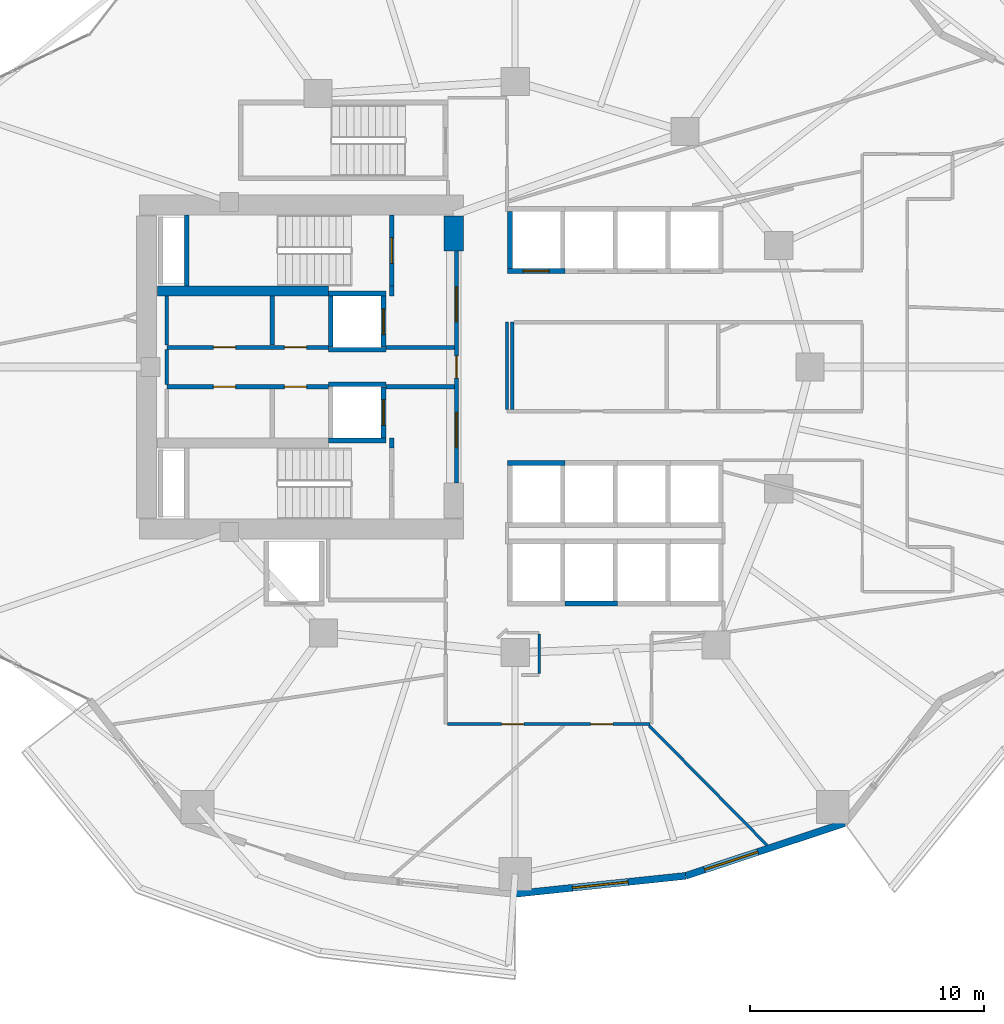
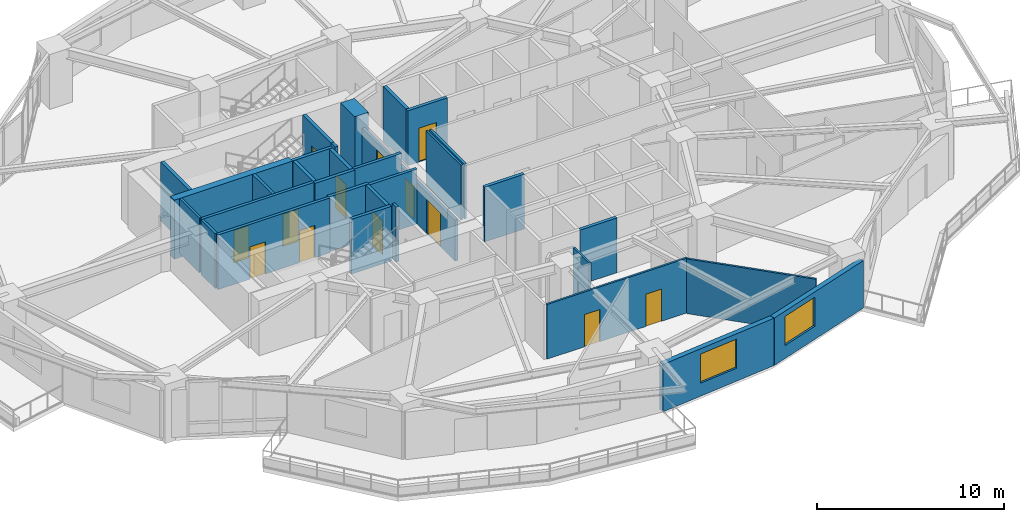
# One storey, part 7 of 14: 32 walls, 13 doors, 2 windows, 15 openings.
"""IFC4 building model written with IfcOpenShell, lengths in metres."""

from ifc_helpers import new_model, si_unit, direction, frame, frame_2d, origin, place, context, subcontext, project, spatial, rectangle, extrude, material, layer, layer_set, type_object, element, fill, save


model = new_model("IFC4")

# Units and contexts
model_context = context("Model", 3, precision=1e-05, world=origin(), true_north=direction((0.0, 1.0)))
body_context = subcontext(model_context, "Body", "Model", "MODEL_VIEW")
ifc_project = project(units=[si_unit("LENGTHUNIT", "METRE"), si_unit("AREAUNIT", "SQUARE_METRE"), si_unit("VOLUMEUNIT", "CUBIC_METRE"), si_unit("PLANEANGLEUNIT", "RADIAN"), si_unit("MASSUNIT", "GRAM", prefix="KILO")], contexts=[model_context])

# Site, building, storey
site_placement = place(None, origin())
site = spatial("IfcSite", under=ifc_project, at=site_placement, CompositionType="ELEMENT")
building_placement = place(site_placement, origin())
building = spatial("IfcBuilding", under=site, at=building_placement, Name="Kolvaren Gate Tower and Convention Centre", CompositionType="ELEMENT")
storey_placement = place(building_placement, frame((0.0, 0.0, 45.75)))
storey = spatial("IfcBuildingStorey", under=building, at=storey_placement, Name="L10", CompositionType="ELEMENT", Elevation=45.75)

# Walls
ifc_material_1 = material(Name="Autoclaved Aerated Masonry Blockwork Class 4 (4.0 MPa)", Category="masonry")
ifc_layer_1 = layer(ifc_material_1, 0.179931640625)
ifc_layer_set_1 = layer_set([ifc_layer_1], Name="Autoclaved Aerated Masonry Blockwork Class 4 (4.0 MPa)")
wall_type_1 = type_object("IfcWallType", Name="ARCH-WL-COMP-180", PredefinedType="SOLIDWALL", material=ifc_layer_set_1)
for number, where, z_axis, x_axis, name in (
    (1, (24.85009765625, 23.5400390625, 0.0), (0.0, 0.0, 1.0), (0.0, 1.0, 0.0), "Interior Partition WL-L10-INT-001"),
    (2, (24.85009765625, 30.0400390625, 0.0), (0.0, 0.0, 1.0), (0.0, 1.0, 0.0), "Interior Partition WL-L10-INT-002"),
):
    element("IfcWall", number, at=place(storey_placement, frame(where, z_axis=z_axis, x_axis=x_axis)), inside=storey, type_object=wall_type_1, Name=name, PredefinedType="SOLIDWALL", context=body_context, shape_type="SweptSolid", body=[
        extrude(rectangle(XDim=0.419921875, YDim=0.179931640625, at=frame_2d((0.2099609375, 0.0))), origin(), (0.0, 0.0, 1.0), 3.570068359375),
    ])

# Wall, openings, doors
wall_1_placement = place(storey_placement, frame((27.6201171875, 22.050048828125, 0.0), z_axis=(0.0, 0.0, 1.0), x_axis=(0.0, 1.0, 0.0)))
wall_1 = element("IfcWall", 3, at=wall_1_placement, inside=storey, type_object=wall_type_1, Name="Interior Partition WL-L10-INT-003", PredefinedType="SOLIDWALL", context=body_context, shape_type="SweptSolid", body=[
    extrude(rectangle(XDim=9.89990234375, YDim=0.179931640625, at=frame_2d((4.949951171875, 0.0))), origin(), (0.0, 0.0, 1.0), 2.662109375),
])
opening_1_placement = place(wall_1_placement, frame((4.47509765625, 0.0, 0.0)))
opening_1 = element("IfcOpeningElement", 4, at=opening_1_placement, cuts=wall_1, Name="Opening DR-01", PredefinedType="OPENING", context=body_context, shape_type="SweptSolid", body=[
    extrude(rectangle(XDim=0.949951171875, YDim=2.10009765625, at=frame_2d((0.47509765625, 1.050048828125))), frame((0.0, 0.099853515625, 0.0), z_axis=(0.0, -1.0, 0.0), x_axis=(1.0, 0.0, 0.0)), (0.0, 0.0, 1.0), 0.199951171875),
])
opening_2_placement = place(wall_1_placement, frame((6.889892578125, 0.0, 0.0)))
opening_2 = element("IfcOpeningElement", 5, at=opening_2_placement, cuts=wall_1, Name="Opening DL-01", PredefinedType="OPENING", context=body_context, shape_type="SweptSolid", body=[
    extrude(rectangle(XDim=1.5, YDim=2.199951171875, at=frame_2d((0.75, 1.10009765625))), frame((0.0, 0.099853515625, 0.0), z_axis=(0.0, -1.0, 0.0), x_axis=(1.0, 0.0, 0.0)), (0.0, 0.0, 1.0), 0.199951171875),
])
opening_3_placement = place(wall_1_placement, frame((1.510009765625, 0.0, 0.0)))
opening_3 = element("IfcOpeningElement", 6, at=opening_3_placement, cuts=wall_1, Name="Opening DL-01", PredefinedType="OPENING", context=body_context, shape_type="SweptSolid", body=[
    extrude(rectangle(XDim=1.5, YDim=2.199951171875, at=frame_2d((0.75, 1.10009765625))), frame((0.0, 0.099853515625, 0.0), z_axis=(0.0, -1.0, 0.0), x_axis=(1.0, 0.0, 0.0)), (0.0, 0.0, 1.0), 0.199951171875),
])
ifc_material_2 = material(Name="Painted Architectural Steelwork ASTM A500 Grade C 345 MPa", Category="steel")
door_type_1 = type_object("IfcDoorType", Name="ARCH-DR-LOBBY-1500", OperationType="DOUBLE_DOOR_SINGLE_SWING", PredefinedType="DOOR", material=ifc_material_2)
door_1_placement = place(opening_2_placement, origin())
door_1 = element("IfcDoor", 7, at=door_1_placement, inside=storey, type_object=door_type_1, Name="North Firefighting Stair and Lift Lobby Door", OperationType="DOUBLE_DOOR_SINGLE_SWING", OverallHeight=2.199951171875, OverallWidth=1.5, PredefinedType="DOOR", context=body_context, shape_type="SweptSolid", body=[
    extrude(rectangle(XDim=1.5, YDim=2.199951171875, at=frame_2d((0.75, 1.10009765625))), frame((0.0, 0.02490234375, 0.0), z_axis=(0.0, -1.0, 0.0), x_axis=(1.0, 0.0, 0.0)), (0.0, 0.0, 1.0), 0.050048828125),
])
fill(opening_2, door_1)
door_2_placement = place(opening_3_placement, origin())
door_2 = element("IfcDoor", 8, at=door_2_placement, inside=storey, type_object=door_type_1, Name="South Firefighting Stair and Lift Lobby Door", OperationType="DOUBLE_DOOR_SINGLE_SWING", OverallHeight=2.199951171875, OverallWidth=1.5, PredefinedType="DOOR", context=body_context, shape_type="SweptSolid", body=[
    extrude(rectangle(XDim=1.5, YDim=2.199951171875, at=frame_2d((0.75, 1.10009765625))), frame((0.0, 0.02490234375, 0.0), z_axis=(0.0, -1.0, 0.0), x_axis=(1.0, 0.0, 0.0)), (0.0, 0.0, 1.0), 0.050048828125),
])
fill(opening_3, door_2)
door_type_2 = type_object("IfcDoorType", Name="ARCH-DR-RISER-950", OperationType="SINGLE_SWING_RIGHT", PredefinedType="DOOR", material=ifc_material_2)
door_3_placement = place(opening_1_placement, origin())
door_3 = element("IfcDoor", 9, at=door_3_placement, inside=storey, type_object=door_type_2, Name="Central MEP Service Corridor Door", OperationType="SINGLE_SWING_RIGHT", OverallHeight=2.10009765625, OverallWidth=0.949951171875, PredefinedType="DOOR", context=body_context, shape_type="SweptSolid", body=[
    extrude(rectangle(XDim=0.949951171875, YDim=2.10009765625, at=frame_2d((0.47509765625, 1.050048828125))), frame((0.0, 0.02490234375, 0.0), z_axis=(0.0, -1.0, 0.0), x_axis=(1.0, 0.0, 0.0)), (0.0, 0.0, 1.0), 0.050048828125),
])
fill(opening_1, door_3)

wall_2_placement = place(storey_placement, frame((15.25, 27.840087890625, 0.0), z_axis=(0.0, 0.0, 1.0), x_axis=(1.0, 0.0, 0.0)))
wall_2 = element("IfcWall", 10, at=wall_2_placement, inside=storey, type_object=wall_type_1, Name="Interior Partition WL-L10-INT-004", PredefinedType="SOLIDWALL", context=body_context, shape_type="SweptSolid", body=[
    extrude(rectangle(XDim=6.89990234375, YDim=0.179931640625, at=frame_2d((3.449951171875, 0.0))), origin(), (0.0, 0.0, 1.0), 3.570068359375),
])
opening_4_placement = place(wall_2_placement, frame((5.02001953125, 0.0, 0.0)))
opening_4 = element("IfcOpeningElement", 11, at=opening_4_placement, cuts=wall_2, Name="Opening DR-01", PredefinedType="OPENING", context=body_context, shape_type="SweptSolid", body=[
    extrude(rectangle(XDim=0.949951171875, YDim=2.10009765625, at=frame_2d((0.47509765625, 1.050048828125))), frame((0.0, 0.099853515625, 0.0), z_axis=(0.0, -1.0, 0.0), x_axis=(1.0, 0.0, 0.0)), (0.0, 0.0, 1.0), 0.199951171875),
])
opening_5_placement = place(wall_2_placement, frame((1.97998046875, 0.0, 0.0)))
opening_5 = element("IfcOpeningElement", 12, at=opening_5_placement, cuts=wall_2, Name="Opening DR-01", PredefinedType="OPENING", context=body_context, shape_type="SweptSolid", body=[
    extrude(rectangle(XDim=0.949951171875, YDim=2.10009765625, at=frame_2d((0.47509765625, 1.050048828125))), frame((0.0, 0.099853515625, 0.0), z_axis=(0.0, -1.0, 0.0), x_axis=(1.0, 0.0, 0.0)), (0.0, 0.0, 1.0), 0.199951171875),
])
door_4_placement = place(opening_4_placement, origin())
door_4 = element("IfcDoor", 13, at=door_4_placement, inside=storey, type_object=door_type_2, Name="Electrical Switchgear Closet Door", OperationType="SINGLE_SWING_LEFT", OverallHeight=2.10009765625, OverallWidth=0.949951171875, PredefinedType="DOOR", context=body_context, shape_type="SweptSolid", body=[
    extrude(rectangle(XDim=0.949951171875, YDim=2.10009765625, at=frame_2d((0.47509765625, 1.050048828125))), frame((0.0, 0.02490234375, 0.0), z_axis=(0.0, -1.0, 0.0), x_axis=(1.0, 0.0, 0.0)), (0.0, 0.0, 1.0), 0.050048828125),
])
fill(opening_4, door_4)
door_5_placement = place(opening_5_placement, origin())
door_5 = element("IfcDoor", 14, at=door_5_placement, inside=storey, type_object=door_type_2, Name="Staff Powder Washroom Door", OperationType="SINGLE_SWING_LEFT", OverallHeight=2.10009765625, OverallWidth=0.949951171875, PredefinedType="DOOR", context=body_context, shape_type="SweptSolid", body=[
    extrude(rectangle(XDim=0.949951171875, YDim=2.10009765625, at=frame_2d((0.47509765625, 1.050048828125))), frame((0.0, 0.02490234375, 0.0), z_axis=(0.0, -1.0, 0.0), x_axis=(1.0, 0.0, 0.0)), (0.0, 0.0, 1.0), 0.050048828125),
])
fill(opening_5, door_5)

# Wall
wall_3_placement = place(storey_placement, frame((24.60009765625, 27.840087890625, 0.0), z_axis=(0.0, 0.0, 1.0), x_axis=(1.0, 0.0, 0.0)))
element("IfcWall", 15, at=wall_3_placement, inside=storey, type_object=wall_type_1, Name="Interior Partition WL-L10-INT-004 (2)", PredefinedType="SOLIDWALL", context=body_context, shape_type="SweptSolid", body=[
    extrude(rectangle(XDim=2.927978515625, YDim=0.179931640625, at=frame_2d((1.4638671875, 0.0))), origin(), (0.0, 0.0, 1.0), 3.570068359375),
])

# Wall, openings, doors
wall_4_placement = place(storey_placement, frame((15.25, 26.159912109375, 0.0), z_axis=(0.0, 0.0, 1.0), x_axis=(1.0, 0.0, 0.0)))
wall_4 = element("IfcWall", 16, at=wall_4_placement, inside=storey, type_object=wall_type_1, Name="Interior Partition WL-L10-INT-005", PredefinedType="SOLIDWALL", context=body_context, shape_type="SweptSolid", body=[
    extrude(rectangle(XDim=6.89990234375, YDim=0.179931640625, at=frame_2d((3.449951171875, 0.0))), origin(), (0.0, 0.0, 1.0), 3.570068359375),
])
opening_6_placement = place(wall_4_placement, frame((5.02001953125, 0.0, 0.0)))
opening_6 = element("IfcOpeningElement", 17, at=opening_6_placement, cuts=wall_4, Name="Opening DR-01", PredefinedType="OPENING", context=body_context, shape_type="SweptSolid", body=[
    extrude(rectangle(XDim=0.949951171875, YDim=2.10009765625, at=frame_2d((0.47509765625, 1.050048828125))), frame((0.0, 0.099853515625, 0.0), z_axis=(0.0, -1.0, 0.0), x_axis=(1.0, 0.0, 0.0)), (0.0, 0.0, 1.0), 0.199951171875),
])
opening_7_placement = place(wall_4_placement, frame((1.97998046875, 0.0, 0.0)))
opening_7 = element("IfcOpeningElement", 18, at=opening_7_placement, cuts=wall_4, Name="Opening DR-01", PredefinedType="OPENING", context=body_context, shape_type="SweptSolid", body=[
    extrude(rectangle(XDim=0.949951171875, YDim=2.10009765625, at=frame_2d((0.47509765625, 1.050048828125))), frame((0.0, 0.099853515625, 0.0), z_axis=(0.0, -1.0, 0.0), x_axis=(1.0, 0.0, 0.0)), (0.0, 0.0, 1.0), 0.199951171875),
])
door_6_placement = place(opening_6_placement, origin())
door_6 = element("IfcDoor", 19, at=door_6_placement, inside=storey, type_object=door_type_2, Name="Domestic Water Meter Closet Door", OperationType="SINGLE_SWING_RIGHT", OverallHeight=2.10009765625, OverallWidth=0.949951171875, PredefinedType="DOOR", context=body_context, shape_type="SweptSolid", body=[
    extrude(rectangle(XDim=0.949951171875, YDim=2.10009765625, at=frame_2d((0.47509765625, 1.050048828125))), frame((0.0, 0.02490234375, 0.0), z_axis=(0.0, -1.0, 0.0), x_axis=(1.0, 0.0, 0.0)), (0.0, 0.0, 1.0), 0.050048828125),
])
fill(opening_6, door_6)
door_7_placement = place(opening_7_placement, origin())
door_7 = element("IfcDoor", 20, at=door_7_placement, inside=storey, type_object=door_type_2, Name="Janitor Equipment Store Door", OperationType="SINGLE_SWING_RIGHT", OverallHeight=2.10009765625, OverallWidth=0.949951171875, PredefinedType="DOOR", context=body_context, shape_type="SweptSolid", body=[
    extrude(rectangle(XDim=0.949951171875, YDim=2.10009765625, at=frame_2d((0.47509765625, 1.050048828125))), frame((0.0, 0.02490234375, 0.0), z_axis=(0.0, -1.0, 0.0), x_axis=(1.0, 0.0, 0.0)), (0.0, 0.0, 1.0), 0.050048828125),
])
fill(opening_7, door_7)

# Walls
wall_5_placement = place(storey_placement, frame((24.60009765625, 26.159912109375, 0.0), z_axis=(0.0, 0.0, 1.0), x_axis=(1.0, 0.0, 0.0)))
element("IfcWall", 21, at=wall_5_placement, inside=storey, type_object=wall_type_1, Name="Interior Partition WL-L10-INT-005 (2)", PredefinedType="SOLIDWALL", context=body_context, shape_type="SweptSolid", body=[
    extrude(rectangle(XDim=2.927978515625, YDim=0.179931640625, at=frame_2d((1.4638671875, 0.0))), origin(), (0.0, 0.0, 1.0), 3.570068359375),
])
wall_6_placement = place(storey_placement, frame((19.75, 27.931884765625, 0.0), z_axis=(0.0, 0.0, 1.0), x_axis=(0.0, 1.0, 0.0)))
element("IfcWall", 22, at=wall_6_placement, inside=storey, type_object=wall_type_1, Name="Interior Partition WL-L10-INT-008", PredefinedType="SOLIDWALL", context=body_context, shape_type="SweptSolid", body=[
    extrude(rectangle(XDim=2.106201171875, YDim=0.179931640625, at=frame_2d((1.05322265625, 0.0))), origin(), (0.0, 0.0, 1.0), 3.570068359375),
])

# Wall, openings, doors
ifc_material_3 = material(Name="Fire-Rated Acoustic Gypsum Stud Partition", Category="gypsum")
ifc_layer_2 = layer(ifc_material_3, 0.1201171875)
ifc_layer_set_2 = layer_set([ifc_layer_2], Name="Fire-Rated Acoustic Gypsum Stud Partition")
wall_type_2 = type_object("IfcWallType", Name="ARCH-WL-PART-120", PredefinedType="PARTITIONING", material=ifc_layer_set_2)
wall_7_placement = place(storey_placement, frame((27.22705078125, 11.75, 0.0), z_axis=(0.0, 0.0, 1.0), x_axis=(1.0, 0.0, 0.0)))
wall_7 = element("IfcWall", 23, at=wall_7_placement, inside=storey, type_object=wall_type_2, Name="Interior Partition WL-L10-INT-020", PredefinedType="PARTITIONING", context=body_context, shape_type="SweptSolid", body=[
    extrude(rectangle(XDim=8.660888671875, YDim=0.1201171875, at=frame_2d((4.33056640625, 0.0))), origin(), (0.0, 0.0, 1.0), 3.570068359375),
])
opening_8_placement = place(wall_7_placement, frame((2.318115234375, 0.0, 0.0)))
opening_8 = element("IfcOpeningElement", 24, at=opening_8_placement, cuts=wall_7, Name="Opening DR-01", PredefinedType="OPENING", context=body_context, shape_type="SweptSolid", body=[
    extrude(rectangle(XDim=0.949951171875, YDim=2.10009765625, at=frame_2d((0.47509765625, 1.050048828125))), frame((0.0, 0.070068359375, 0.0), z_axis=(0.0, -1.0, 0.0), x_axis=(1.0, 0.0, 0.0)), (0.0, 0.0, 1.0), 0.14013671875),
])
opening_9_placement = place(wall_7_placement, frame((6.1142578125, 0.0, 0.0)))
opening_9 = element("IfcOpeningElement", 25, at=opening_9_placement, cuts=wall_7, Name="Opening DR-01", PredefinedType="OPENING", context=body_context, shape_type="SweptSolid", body=[
    extrude(rectangle(XDim=0.949951171875, YDim=2.10009765625, at=frame_2d((0.47509765625, 1.050048828125))), frame((0.0, 0.070068359375, 0.0), z_axis=(0.0, -1.0, 0.0), x_axis=(1.0, 0.0, 0.0)), (0.0, 0.0, 1.0), 0.14013671875),
])
door_8_placement = place(opening_8_placement, origin())
door_8 = element("IfcDoor", 26, at=door_8_placement, inside=storey, type_object=door_type_2, Name="Staff Bistro Cafe Door", OperationType="SINGLE_SWING_LEFT", OverallHeight=2.10009765625, OverallWidth=0.949951171875, PredefinedType="DOOR", context=body_context, shape_type="SweptSolid", body=[
    extrude(rectangle(XDim=0.949951171875, YDim=2.10009765625, at=frame_2d((0.47509765625, 1.050048828125))), frame((0.0, 0.02490234375, 0.0), z_axis=(0.0, -1.0, 0.0), x_axis=(1.0, 0.0, 0.0)), (0.0, 0.0, 1.0), 0.050048828125),
])
fill(opening_8, door_8)
door_9_placement = place(opening_9_placement, origin())
door_9 = element("IfcDoor", 27, at=door_9_placement, inside=storey, type_object=door_type_2, Name="Technical Reference Library Door", OperationType="SINGLE_SWING_RIGHT", OverallHeight=2.10009765625, OverallWidth=0.949951171875, PredefinedType="DOOR", context=body_context, shape_type="SweptSolid", body=[
    extrude(rectangle(XDim=0.949951171875, YDim=2.10009765625, at=frame_2d((0.47509765625, 1.050048828125))), frame((0.0, 0.02490234375, 0.0), z_axis=(0.0, -1.0, 0.0), x_axis=(1.0, 0.0, 0.0)), (0.0, 0.0, 1.0), 0.050048828125),
])
fill(opening_9, door_9)

# Walls
wall_8_placement = place(storey_placement, frame((29.780029296875, 25.197021484375, 0.0), z_axis=(0.0, 0.0, 1.0), x_axis=(0.0, 1.0, 0.0)))
element("IfcWall", 28, at=wall_8_placement, inside=storey, type_object=wall_type_2, Name="Interior Partition WL-L10-INT-024", PredefinedType="PARTITIONING", context=body_context, shape_type="SweptSolid", body=[
    extrude(rectangle(XDim=3.722900390625, YDim=0.1201171875, at=frame_2d((1.861328125, 0.0))), origin(), (0.0, 0.0, 1.0), 3.570068359375),
])
wall_9_placement = place(storey_placement, frame((31.14990234375, 13.912109375, 0.0), z_axis=(0.0, 0.0, 1.0), x_axis=(0.0, 1.0, 0.0)))
element("IfcWall", 29, at=wall_9_placement, inside=storey, type_object=wall_type_2, Name="Interior Partition WL-L10-INT-041", PredefinedType="PARTITIONING", context=body_context, shape_type="SweptSolid", body=[
    extrude(rectangle(XDim=1.67578125, YDim=0.1201171875, at=frame_2d((0.837890625, 0.0))), origin(), (0.0, 0.0, 1.0), 3.570068359375),
])
wall_10_placement = place(storey_placement, frame((35.841064453125, 11.68798828125, 0.0), z_axis=(0.0, 0.0, 1.0), x_axis=(0.702122050881, -0.712056616897, 0.0)))
element("IfcWall", 30, at=wall_10_placement, inside=storey, type_object=wall_type_2, Name="Interior Partition WL-L10-INT-051", PredefinedType="PARTITIONING", context=body_context, shape_type="SweptSolid", body=[
    extrude(rectangle(XDim=7.17578125, YDim=0.1201171875, at=frame_2d((3.587890625, 0.0))), origin(), (0.0, 0.0, 1.0), 3.570068359375),
])
ifc_layer_3 = layer(ifc_material_1, 0.199951171875)
ifc_layer_set_3 = layer_set([ifc_layer_3], Name="Autoclaved Aerated Masonry Blockwork Class 4 (4.0 MPa)")
wall_type_3 = type_object("IfcWallType", Name="ARCH-WL-SHAFT-200", PredefinedType="SOLIDWALL", material=ifc_layer_set_3)
for number, where, z_axis, x_axis, name in (
    (31, (22.14990234375, 30.139892578125, 0.0), (0.0, 0.0, 1.0), (1.0, 0.0, 0.0), "Elevator FF-01 L10 Fire Shaft Wall N"),
    (32, (22.14990234375, 27.739990234375, 0.0), (0.0, 0.0, 1.0), (1.0, 0.0, 0.0), "Elevator FF-01 L10 Fire Shaft Wall S"),
):
    element("IfcWall", number, at=place(storey_placement, frame(where, z_axis=z_axis, x_axis=x_axis)), inside=storey, type_object=wall_type_3, Name=name, PredefinedType="SOLIDWALL", context=body_context, shape_type="SweptSolid", body=[
        extrude(rectangle(XDim=2.4501953125, YDim=0.199951171875, at=frame_2d((1.22509765625, 0.0))), origin(), (0.0, 0.0, 1.0), 3.570068359375),
    ])
wall_11_placement = place(storey_placement, frame((22.25, 27.85009765625, 0.0), z_axis=(0.0, 0.0, 1.0), x_axis=(0.0, 1.0, 0.0)))
element("IfcWall", 33, at=wall_11_placement, inside=storey, type_object=wall_type_3, Name="Elevator FF-01 L10 Fire Shaft Wall W", PredefinedType="SOLIDWALL", context=body_context, shape_type="SweptSolid", body=[
    extrude(rectangle(XDim=2.179931640625, YDim=0.199951171875, at=frame_2d((1.08984375, 0.0))), origin(), (0.0, 0.0, 1.0), 3.570068359375),
])

# Wall, opening, door
wall_12_placement = place(storey_placement, frame((24.5, 27.85009765625, 0.0), z_axis=(0.0, 0.0, 1.0), x_axis=(0.0, 1.0, 0.0)))
wall_12 = element("IfcWall", 34, at=wall_12_placement, inside=storey, type_object=wall_type_3, Name="Elevator FF-01 L10 Fire Shaft Wall E", PredefinedType="SOLIDWALL", context=body_context, shape_type="SweptSolid", body=[
    extrude(rectangle(XDim=2.179931640625, YDim=0.199951171875, at=frame_2d((1.08984375, 0.0))), origin(), (0.0, 0.0, 1.0), 3.570068359375),
])
opening_10_placement = place(wall_12_placement, frame((0.5400390625, 0.0, 0.0)))
opening_10 = element("IfcOpeningElement", 35, at=opening_10_placement, cuts=wall_12, Name="Opening LD", PredefinedType="OPENING", context=body_context, shape_type="SweptSolid", body=[
    extrude(rectangle(XDim=1.10009765625, YDim=2.199951171875, at=frame_2d((0.550048828125, 1.10009765625))), frame((0.0, 0.10986328125, 0.0), z_axis=(0.0, -1.0, 0.0), x_axis=(1.0, 0.0, 0.0)), (0.0, 0.0, 1.0), 0.219970703125),
])
ifc_material_4 = material(Name="Brushed Stainless Steel Grade 316L", Category="steel")
door_type_3 = type_object("IfcDoorType", Name="ARCH-DR-LIFT-1100", OperationType="SLIDING_TO_LEFT", PredefinedType="DOOR", material=ifc_material_4)
door_10_placement = place(opening_10_placement, origin())
door_10 = element("IfcDoor", 36, at=door_10_placement, inside=storey, type_object=door_type_3, Name="Elevator FF-01 L10 Sliding Landing Door", OperationType="SLIDING_TO_LEFT", OverallHeight=2.199951171875, OverallWidth=1.10009765625, PredefinedType="DOOR", context=body_context, shape_type="SweptSolid", body=[
    extrude(rectangle(XDim=1.10009765625, YDim=2.199951171875, at=frame_2d((0.550048828125, 1.10009765625))), frame((0.0, 0.02490234375, 0.0), z_axis=(0.0, -1.0, 0.0), x_axis=(1.0, 0.0, 0.0)), (0.0, 0.0, 1.0), 0.050048828125),
])
fill(opening_10, door_10)

# Walls
for number, where, z_axis, x_axis, name in (
    (37, (22.14990234375, 26.260009765625, 0.0), (0.0, 0.0, 1.0), (1.0, 0.0, 0.0), "Elevator FF-02 L10 Fire Shaft Wall N"),
    (38, (22.14990234375, 23.860107421875, 0.0), (0.0, 0.0, 1.0), (1.0, 0.0, 0.0), "Elevator FF-02 L10 Fire Shaft Wall S"),
):
    element("IfcWall", number, at=place(storey_placement, frame(where, z_axis=z_axis, x_axis=x_axis)), inside=storey, type_object=wall_type_3, Name=name, PredefinedType="SOLIDWALL", context=body_context, shape_type="SweptSolid", body=[
        extrude(rectangle(XDim=2.4501953125, YDim=0.199951171875, at=frame_2d((1.22509765625, 0.0))), origin(), (0.0, 0.0, 1.0), 3.570068359375),
    ])

# Wall, opening, door
wall_13_placement = place(storey_placement, frame((24.5, 23.969970703125, 0.0), z_axis=(0.0, 0.0, 1.0), x_axis=(0.0, 1.0, 0.0)))
wall_13 = element("IfcWall", 39, at=wall_13_placement, inside=storey, type_object=wall_type_3, Name="Elevator FF-02 L10 Fire Shaft Wall E", PredefinedType="SOLIDWALL", context=body_context, shape_type="SweptSolid", body=[
    extrude(rectangle(XDim=2.179931640625, YDim=0.199951171875, at=frame_2d((1.08984375, 0.0))), origin(), (0.0, 0.0, 1.0), 3.570068359375),
])
opening_11_placement = place(wall_13_placement, frame((0.5400390625, 0.0, 0.0)))
opening_11 = element("IfcOpeningElement", 40, at=opening_11_placement, cuts=wall_13, Name="Opening LD", PredefinedType="OPENING", context=body_context, shape_type="SweptSolid", body=[
    extrude(rectangle(XDim=1.10009765625, YDim=2.199951171875, at=frame_2d((0.550048828125, 1.10009765625))), frame((0.0, 0.10986328125, 0.0), z_axis=(0.0, -1.0, 0.0), x_axis=(1.0, 0.0, 0.0)), (0.0, 0.0, 1.0), 0.219970703125),
])
door_11_placement = place(opening_11_placement, origin())
door_11 = element("IfcDoor", 41, at=door_11_placement, inside=storey, type_object=door_type_3, Name="Elevator FF-02 L10 Sliding Landing Door", OperationType="SLIDING_TO_LEFT", OverallHeight=2.199951171875, OverallWidth=1.10009765625, PredefinedType="DOOR", context=body_context, shape_type="SweptSolid", body=[
    extrude(rectangle(XDim=1.10009765625, YDim=2.199951171875, at=frame_2d((0.550048828125, 1.10009765625))), frame((0.0, 0.02490234375, 0.0), z_axis=(0.0, -1.0, 0.0), x_axis=(1.0, 0.0, 0.0)), (0.0, 0.0, 1.0), 0.050048828125),
])
fill(opening_11, door_11)

wall_14_placement = place(storey_placement, frame((29.800048828125, 31.10009765625, 0.0), z_axis=(0.0, 0.0, 1.0), x_axis=(1.0, 0.0, 0.0)))
wall_14 = element("IfcWall", 42, at=wall_14_placement, inside=storey, type_object=wall_type_3, Name="Elevator PL-01 L10 Fire Shaft Wall S", PredefinedType="SOLIDWALL", context=body_context, shape_type="SweptSolid", body=[
    extrude(rectangle(XDim=2.449951171875, YDim=0.199951171875, at=frame_2d((1.22509765625, 0.0))), origin(), (0.0, 0.0, 1.0), 3.570068359375),
])
opening_12_placement = place(wall_14_placement, frame((0.675048828125, 0.0, 0.0)))
opening_12 = element("IfcOpeningElement", 43, at=opening_12_placement, cuts=wall_14, Name="Opening LD", PredefinedType="OPENING", context=body_context, shape_type="SweptSolid", body=[
    extrude(rectangle(XDim=1.10009765625, YDim=2.199951171875, at=frame_2d((0.550048828125, 1.10009765625))), frame((0.0, 0.10986328125, 0.0), z_axis=(0.0, -1.0, 0.0), x_axis=(1.0, 0.0, 0.0)), (0.0, 0.0, 1.0), 0.219970703125),
])
door_12_placement = place(opening_12_placement, origin())
door_12 = element("IfcDoor", 44, at=door_12_placement, inside=storey, type_object=door_type_3, Name="Elevator PL-01 L10 Sliding Landing Door", OperationType="SLIDING_TO_LEFT", OverallHeight=2.199951171875, OverallWidth=1.10009765625, PredefinedType="DOOR", context=body_context, shape_type="SweptSolid", body=[
    extrude(rectangle(XDim=1.10009765625, YDim=2.199951171875, at=frame_2d((0.550048828125, 1.10009765625))), frame((0.0, 0.02490234375, 0.0), z_axis=(0.0, -1.0, 0.0), x_axis=(1.0, 0.0, 0.0)), (0.0, 0.0, 1.0), 0.050048828125),
])
fill(opening_12, door_12)

# Walls
wall_15_placement = place(storey_placement, frame((29.89990234375, 31.2099609375, 0.0), z_axis=(0.0, 0.0, 1.0), x_axis=(0.0, 1.0, 0.0)))
element("IfcWall", 45, at=wall_15_placement, inside=storey, type_object=wall_type_3, Name="Elevator PL-01 L10 Fire Shaft Wall W", PredefinedType="SOLIDWALL", context=body_context, shape_type="SweptSolid", body=[
    extrude(rectangle(XDim=2.429931640625, YDim=0.199951171875, at=frame_2d((1.21484375, 0.0))), origin(), (0.0, 0.0, 1.0), 3.570068359375),
])
wall_16_placement = place(storey_placement, frame((32.25, 16.89990234375, 0.0), z_axis=(0.0, 0.0, 1.0), x_axis=(1.0, 0.0, 0.0)))
element("IfcWall", 46, at=wall_16_placement, inside=storey, type_object=wall_type_3, Name="Elevator PL-06 L10 Fire Shaft Wall S", PredefinedType="SOLIDWALL", context=body_context, shape_type="SweptSolid", body=[
    extrude(rectangle(XDim=2.25, YDim=0.199951171875, at=frame_2d((1.125, 0.0))), origin(), (0.0, 0.0, 1.0), 3.570068359375),
])
wall_17_placement = place(storey_placement, frame((29.800048828125, 22.89990234375, 0.0), z_axis=(0.0, 0.0, 1.0), x_axis=(1.0, 0.0, 0.0)))
element("IfcWall", 47, at=wall_17_placement, inside=storey, type_object=wall_type_3, Name="Elevator PL-09 L10 Fire Shaft Wall N", PredefinedType="SOLIDWALL", context=body_context, shape_type="SweptSolid", body=[
    extrude(rectangle(XDim=2.449951171875, YDim=0.199951171875, at=frame_2d((1.22509765625, 0.0))), origin(), (0.0, 0.0, 1.0), 3.570068359375),
])

# Wall, opening, window
ifc_material_5 = material(Name="Piedmont Cream Honed Limestone Cladding", Category="masonry")
ifc_layer_4 = layer(ifc_material_5, 0.300048828125)
ifc_layer_set_4 = layer_set([ifc_layer_4], Name="Piedmont Cream Honed Limestone Cladding")
wall_type_4 = type_object("IfcWallType", Name="ARCH-WL-STONE-300", PredefinedType="SOLIDWALL", material=ifc_layer_set_4)
wall_18_placement = place(storey_placement, frame((30.125, 4.5, 0.0), z_axis=(0.0, 0.0, 1.0), x_axis=(0.994500334317, 0.104733399844, 0.0)))
wall_18 = element("IfcWall", 48, at=wall_18_placement, inside=storey, type_object=wall_type_4, Name="Tower L10 Honed Stone Spandrel Wall EW-18", PredefinedType="SOLIDWALL", context=body_context, shape_type="SweptSolid", body=[
    extrude(rectangle(XDim=7.319580078125, YDim=0.300048828125, at=frame_2d((3.65966796875, 0.0))), origin(), (0.0, 0.0, 1.0), 3.093017578125),
])
opening_13_placement = place(wall_18_placement, frame((2.4599609375, 0.0, 0.85009765625)))
opening_13 = element("IfcOpeningElement", 49, at=opening_13_placement, cuts=wall_18, Name="Opening W-01", PredefinedType="OPENING", context=body_context, shape_type="SweptSolid", body=[
    extrude(rectangle(XDim=2.39990234375, YDim=1.89990234375, at=frame_2d((1.199951171875, 0.949951171875))), frame((0.0, 0.159912109375, 0.0), z_axis=(0.0, -1.0, 0.0), x_axis=(1.0, 0.0, 0.0)), (0.0, 0.0, 1.0), 0.320068359375),
])
ifc_material_6 = material(Name="Low-E Triple Insulated Glazing Unit 44 mm", Category="glass")
window_type = type_object("IfcWindowType", Name="ARCH-WN-OFF-2400", PartitioningType="SINGLE_PANEL", PredefinedType="WINDOW", material=ifc_material_6)
window_1_placement = place(opening_13_placement, origin())
window_1 = element("IfcWindow", 50, at=window_1_placement, inside=storey, type_object=window_type, Name="Tower L10 Punched Stone Facade Window W-18", OverallHeight=1.89990234375, OverallWidth=2.39990234375, PartitioningType="SINGLE_PANEL", PredefinedType="WINDOW", context=body_context, shape_type="SweptSolid", body=[
    extrude(rectangle(XDim=2.39990234375, YDim=1.89990234375, at=frame_2d((1.199951171875, 0.949951171875))), frame((0.0, 0.030029296875, 0.0), z_axis=(0.0, -1.0, 0.0), x_axis=(1.0, 0.0, 0.0)), (0.0, 0.0, 1.0), 0.06005859375),
])
fill(opening_13, window_1)

wall_19_placement = place(storey_placement, frame((37.404296875, 5.2666015625, 0.0), z_axis=(0.0, 0.0, 1.0), x_axis=(0.949238715533, 0.31455661006, 0.0)))
wall_19 = element("IfcWall", 51, at=wall_19_placement, inside=storey, type_object=wall_type_4, Name="Tower L10 Honed Stone Spandrel Wall EW-19", PredefinedType="SOLIDWALL", context=body_context, shape_type="SweptSolid", body=[
    extrude(rectangle(XDim=7.14599609375, YDim=0.300048828125, at=frame_2d((3.572998046875, 0.0))), origin(), (0.0, 0.0, 1.0), 3.093017578125),
])
opening_14_placement = place(wall_19_placement, frame((0.85009765625, 0.0, 0.85009765625)))
opening_14 = element("IfcOpeningElement", 52, at=opening_14_placement, cuts=wall_19, Name="Opening W-01", PredefinedType="OPENING", context=body_context, shape_type="SweptSolid", body=[
    extrude(rectangle(XDim=2.39990234375, YDim=1.89990234375, at=frame_2d((1.199951171875, 0.949951171875))), frame((0.0, 0.159912109375, 0.0), z_axis=(0.0, -1.0, 0.0), x_axis=(1.0, 0.0, 0.0)), (0.0, 0.0, 1.0), 0.320068359375),
])
window_2_placement = place(opening_14_placement, origin())
window_2 = element("IfcWindow", 53, at=window_2_placement, inside=storey, type_object=window_type, Name="Tower L10 Punched Stone Facade Window W-19", OverallHeight=1.89990234375, OverallWidth=2.39990234375, PartitioningType="SINGLE_PANEL", PredefinedType="WINDOW", context=body_context, shape_type="SweptSolid", body=[
    extrude(rectangle(XDim=2.39990234375, YDim=1.89990234375, at=frame_2d((1.199951171875, 0.949951171875))), frame((0.0, 0.030029296875, 0.0), z_axis=(0.0, -1.0, 0.0), x_axis=(1.0, 0.0, 0.0)), (0.0, 0.0, 1.0), 0.06005859375),
])
fill(opening_14, window_2)

# Walls
ifc_material_7 = material(Name="Moisture-Resistant Cement-Board Acoustic Partition", Category="gypsum")
ifc_layer_5 = layer(ifc_material_7, 0.14990234375)
ifc_layer_set_5 = layer_set([ifc_layer_5], Name="Moisture-Resistant Cement-Board Acoustic Partition")
wall_type_5 = type_object("IfcWallType", Name="ARCH-WL-WET-150", PredefinedType="PARTITIONING", material=ifc_layer_set_5)
wall_20_placement = place(storey_placement, frame((15.25, 26.251953125, 0.0), z_axis=(0.0, 0.0, 1.0), x_axis=(0.0, 1.0, 0.0)))
element("IfcWall", 54, at=wall_20_placement, inside=storey, type_object=wall_type_5, Name="Interior Partition WL-L10-INT-006 (2)", PredefinedType="PARTITIONING", context=body_context, shape_type="SweptSolid", body=[
    extrude(rectangle(XDim=1.49609375, YDim=0.14990234375, at=frame_2d((0.748046875, 0.0))), origin(), (0.0, 0.0, 1.0), 3.570068359375),
])
wall_21_placement = place(storey_placement, frame((15.25, 27.931884765625, 0.0), z_axis=(0.0, 0.0, 1.0), x_axis=(0.0, 1.0, 0.0)))
element("IfcWall", 55, at=wall_21_placement, inside=storey, type_object=wall_type_5, Name="Interior Partition WL-L10-INT-006 (3)", PredefinedType="PARTITIONING", context=body_context, shape_type="SweptSolid", body=[
    extrude(rectangle(XDim=2.106201171875, YDim=0.14990234375, at=frame_2d((1.05322265625, 0.0))), origin(), (0.0, 0.0, 1.0), 3.570068359375),
])
wall_22_placement = place(storey_placement, frame((30.0, 25.197021484375, 0.0), z_axis=(0.0, 0.0, 1.0), x_axis=(0.0, 1.0, 0.0)))
element("IfcWall", 56, at=wall_22_placement, inside=storey, type_object=wall_type_5, Name="Interior Partition WL-L10-INT-013", PredefinedType="PARTITIONING", context=body_context, shape_type="SweptSolid", body=[
    extrude(rectangle(XDim=3.722900390625, YDim=0.14990234375, at=frame_2d((1.861328125, 0.0))), origin(), (0.0, 0.0, 1.0), 3.570068359375),
])
ifc_material_8 = material(Name="Concrete C50/60", Category="concrete")
ifc_layer_6 = layer(ifc_material_8, 0.419921875)
ifc_layer_set_6 = layer_set([ifc_layer_6], Name="Concrete C50/60")
wall_type_6 = type_object("IfcWallType", Name="STR-WL-CONV-420", PredefinedType="SHEAR", material=ifc_layer_set_6)
wall_23_placement = place(storey_placement, frame((14.85009765625, 30.25, -0.280029296875), z_axis=(0.0, 0.0, 1.0), x_axis=(1.0, 0.0, 0.0)))
element("IfcWall", 57, at=wall_23_placement, inside=storey, type_object=wall_type_6, Name="Tower L10 Offset Core Shear Wall WN", PredefinedType="SHEAR", context=body_context, shape_type="SweptSolid", body=[
    extrude(rectangle(XDim=7.2998046875, YDim=0.419921875, at=frame_2d((3.64990234375, 0.0))), origin(), (0.0, 0.0, 1.0), 3.85009765625),
])
ifc_material_9 = material(Name="Concrete C70/85", Category="concrete")
ifc_layer_7 = layer(ifc_material_9, 0.85009765625)
ifc_layer_set_7 = layer_set([ifc_layer_7], Name="Concrete C70/85")
wall_type_7 = type_object("IfcWallType", Name="STR-WL-CORE-850", PredefinedType="SHEAR", material=ifc_layer_set_7)
wall_24_placement = place(storey_placement, frame((27.5, 31.949951171875, -0.280029296875), z_axis=(0.0, 0.0, 1.0), x_axis=(0.0, 1.0, 0.0)))
element("IfcWall", 58, at=wall_24_placement, inside=storey, type_object=wall_type_7, Name="Tower L10 Offset Core Shear Wall EN", PredefinedType="SHEAR", context=body_context, shape_type="SweptSolid", body=[
    extrude(rectangle(XDim=1.5, YDim=0.85009765625, at=frame_2d((0.75, 0.0))), origin(), (0.0, 0.0, 1.0), 3.85009765625),
])

# Wall, opening, door
ifc_layer_8 = layer(ifc_material_8, 0.199951171875)
ifc_layer_set_8 = layer_set([ifc_layer_8], Name="Concrete C50/60")
wall_type_8 = type_object("IfcWallType", Name="STR-WL-SHAFT-200", PredefinedType="SHEAR", material=ifc_layer_set_8)
wall_25_placement = place(storey_placement, frame((24.85009765625, 30.4599609375, -0.280029296875), z_axis=(0.0, 0.0, 1.0), x_axis=(0.0, 1.0, 0.0)))
wall_25 = element("IfcWall", 59, at=wall_25_placement, inside=storey, type_object=wall_type_8, Name="Tower North Exit Stair ST-T1 L10 Structural Shear Enclosure Wall NEAR", PredefinedType="SHEAR", context=body_context, shape_type="SweptSolid", body=[
    extrude(rectangle(XDim=3.0380859375, YDim=0.199951171875, at=frame_2d((1.51904296875, 0.0))), origin(), (0.0, 0.0, 1.0), 3.85009765625),
])
opening_15_placement = place(wall_25_placement, frame((0.968994140625, 0.0, 0.280029296875)))
opening_15 = element("IfcOpeningElement", 60, at=opening_15_placement, cuts=wall_25, Name="Opening DS-01", PredefinedType="OPENING", context=body_context, shape_type="SweptSolid", body=[
    extrude(rectangle(XDim=1.10009765625, YDim=2.14990234375, at=frame_2d((0.550048828125, 1.074951171875))), frame((0.0, 0.10986328125, 0.0), z_axis=(0.0, -1.0, 0.0), x_axis=(1.0, 0.0, 0.0)), (0.0, 0.0, 1.0), 0.219970703125),
])
door_type_4 = type_object("IfcDoorType", Name="ARCH-DR-STAIR-1100", OperationType="SINGLE_SWING_LEFT", PredefinedType="DOOR", material=ifc_material_2)
door_13_placement = place(opening_15_placement, origin())
door_13 = element("IfcDoor", 61, at=door_13_placement, inside=storey, type_object=door_type_4, Name="Tower North Exit Stair ST-T1 L10 Fire Exit Stair Door", OperationType="SINGLE_SWING_RIGHT", OverallHeight=2.14990234375, OverallWidth=1.10009765625, PredefinedType="DOOR", context=body_context, shape_type="SweptSolid", body=[
    extrude(rectangle(XDim=1.10009765625, YDim=2.14990234375, at=frame_2d((0.550048828125, 1.074951171875))), frame((0.0, 0.02490234375, 0.0), z_axis=(0.0, -1.0, 0.0), x_axis=(1.0, 0.0, 0.0)), (0.0, 0.0, 1.0), 0.050048828125),
])
fill(opening_15, door_13)

# Wall
wall_26_placement = place(storey_placement, frame((16.10009765625, 30.4619140625, -0.280029296875), z_axis=(0.0, 0.0, 1.0), x_axis=(0.0, 1.0, 0.0)))
element("IfcWall", 62, at=wall_26_placement, inside=storey, type_object=wall_type_8, Name="Tower North Exit Stair ST-T1 L10 Structural Shear Enclosure Wall FAR", PredefinedType="SHEAR", context=body_context, shape_type="SweptSolid", body=[
    extrude(rectangle(XDim=3.0361328125, YDim=0.199951171875, at=frame_2d((1.51806640625, 0.0))), origin(), (0.0, 0.0, 1.0), 3.85009765625),
])

save(model, "model.ifc")
